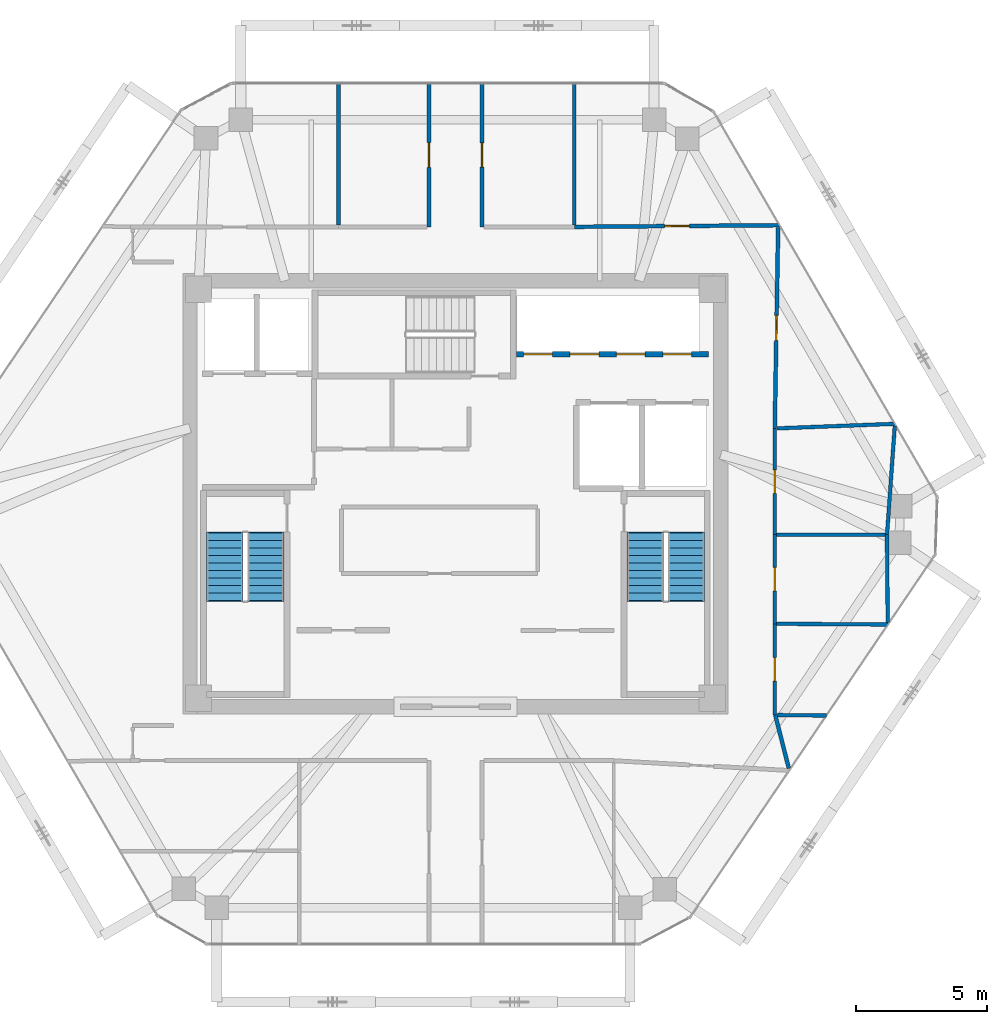
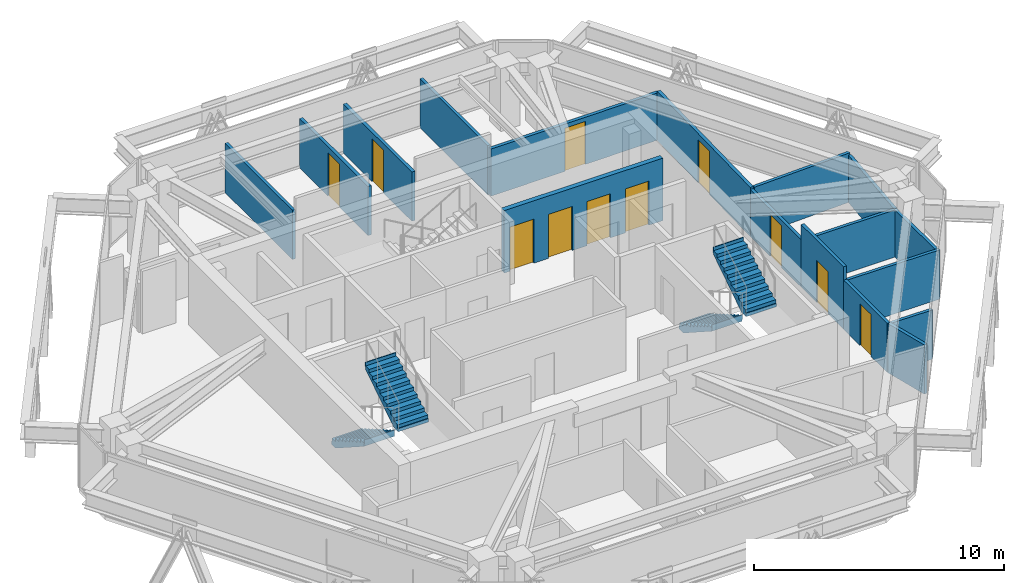
# One storey, part 11 of 13: 17 walls, 11 doors, 4 stair flights, 11 openings, 2 elements without a shape of their own.
"""IFC4 building model written with IfcOpenShell, lengths in metres."""

from ifc_helpers import new_model, si_unit, direction, frame, frame_2d, origin, place, context, subcontext, project, spatial, polyline, rectangle, outline, extrude, source, transform, mapped, material, layer, layer_set, type_object, type_shapes, element, fill, aggregate, save


model = new_model("IFC4")

# Units and contexts
model_context = context("Model", 3, precision=1e-05, world=origin(), true_north=direction((0.0, 1.0)))
body_context = subcontext(model_context, "Body", "Model", "MODEL_VIEW")
ifc_project = project(units=[si_unit("LENGTHUNIT", "METRE"), si_unit("AREAUNIT", "SQUARE_METRE"), si_unit("VOLUMEUNIT", "CUBIC_METRE"), si_unit("PLANEANGLEUNIT", "RADIAN"), si_unit("MASSUNIT", "GRAM", prefix="KILO")], contexts=[model_context])

# Site, building, storey
site_placement = place(None, origin())
site = spatial("IfcSite", under=ifc_project, at=site_placement, CompositionType="ELEMENT")
building_placement = place(site_placement, origin())
building = spatial("IfcBuilding", under=site, at=building_placement, Name="Durnholm Broadcast Tower", CompositionType="ELEMENT")
storey_placement = place(building_placement, frame((0.0, 0.0, 241.39990234375)))
storey = spatial("IfcBuildingStorey", under=building, at=storey_placement, Name="L67", CompositionType="ELEMENT", Elevation=241.39990234375)

# Walls
ifc_material_1 = material(Name="Gypsum Metal Stud Partition", Category="concrete")
ifc_layer_1 = layer(ifc_material_1, 0.135009765625)
ifc_layer_set_1 = layer_set([ifc_layer_1], Name="Gypsum Metal Stud Partition")
wall_type_1 = type_object("IfcWallType", Name="WALL-PART-135", PredefinedType="PARTITIONING", material=ifc_layer_set_1)
wall_1_placement = place(storey_placement, frame((-4.4599609375, 15.662109375, 0.0), z_axis=(0.0, 0.0, 1.0), x_axis=(0.0, -1.0, 0.0)))
element("IfcWall", 1, at=wall_1_placement, inside=storey, type_object=wall_type_1, Name="L67 room dividing partition 9.10", PredefinedType="PARTITIONING", context=body_context, shape_type="SweptSolid", body=[
    extrude(rectangle(XDim=5.403076171875, YDim=0.135009765625, at=frame_2d((2.70166015625, 0.0))), origin(), (0.0, 0.0, 1.0), 2.39892578125),
])
wall_2_placement = place(storey_placement, frame((4.5400390625, 15.662109375, 0.0), z_axis=(0.0, 0.0, 1.0), x_axis=(0.0, -1.0, 0.0)))
element("IfcWall", 2, at=wall_2_placement, inside=storey, type_object=wall_type_1, Name="L67 room dividing partition 11.12", PredefinedType="PARTITIONING", context=body_context, shape_type="SweptSolid", body=[
    extrude(rectangle(XDim=5.402587890625, YDim=0.135009765625, at=frame_2d((2.701171875, 0.0))), origin(), (0.0, 0.0, 1.0), 2.39892578125),
])

# Wall, opening, door
ifc_material_2 = material(Name="Acoustic Gypsum Stud Partition", Category="concrete")
ifc_layer_2 = layer(ifc_material_2, 0.14990234375)
ifc_layer_set_2 = layer_set([ifc_layer_2], Name="Acoustic Gypsum Stud Partition")
wall_type_2 = type_object("IfcWallType", Name="WALL-PART-150", PredefinedType="PARTITIONING", material=ifc_layer_set_2)
wall_3_placement = place(storey_placement, frame((-1.010009765625, 15.662109375, 0.0), z_axis=(0.0, 0.0, 1.0), x_axis=(0.0, -1.0, 0.0)))
wall_3 = element("IfcWall", 3, at=wall_3_placement, inside=storey, type_object=wall_type_2, Name="L67 Global Bureaus Meeting Room corridor partition", PredefinedType="PARTITIONING", context=body_context, shape_type="SweptSolid", body=[
    extrude(rectangle(XDim=5.482177734375, YDim=0.14990234375, at=frame_2d((2.7412109375, 0.0))), origin(), (0.0, 0.0, 1.0), 2.39892578125),
])
opening_1_placement = place(wall_3_placement, frame((2.26611328125, 0.0, 0.0)))
opening_1 = element("IfcOpeningElement", 4, at=opening_1_placement, cuts=wall_3, Name="Opening DR-95L", PredefinedType="OPENING", context=body_context, shape_type="SweptSolid", body=[
    extrude(rectangle(XDim=0.949951171875, YDim=2.10009765625, at=frame_2d((0.47509765625, 1.050048828125))), frame((0.0, 0.0849609375, 0.0), z_axis=(0.0, -1.0, 0.0), x_axis=(1.0, 0.0, 0.0)), (0.0, 0.0, 1.0), 0.169921875),
])
ifc_material_3 = material(Name="Acoustic Oak Veneer Timber Door", Category="wood")
ifc_layer_3 = layer(ifc_material_3, 0.050048828125)
ifc_layer_set_3 = layer_set([ifc_layer_3], Name="Acoustic Oak Veneer Timber Door")
door_type_1 = type_object("IfcDoorType", Name="DOOR-RM-950L", OperationType="NOTDEFINED", PredefinedType="DOOR", material=ifc_layer_set_3)
shared_shape_1 = source(origin(), body_context, "Body", "SweptSolid", [
    extrude(rectangle(XDim=0.949951171875, YDim=2.10009765625, at=frame_2d((0.47509765625, 1.050048828125))), frame((0.0, 0.02490234375, 0.0), z_axis=(0.0, -1.0, 0.0), x_axis=(1.0, 0.0, 0.0)), (0.0, 0.0, 1.0), 0.050048828125),
])
type_shapes(door_type_1, [shared_shape_1])
door_1_placement = place(opening_1_placement, origin())
door_1 = element("IfcDoor", 5, at=door_1_placement, inside=storey, type_object=door_type_1, Name="L67 Global Bureaus Meeting Room entrance door", OperationType="SINGLE_SWING_LEFT", OverallHeight=2.10009765625, OverallWidth=0.949951171875, PredefinedType="DOOR", context=body_context, shape_type="MappedRepresentation", body=[
    mapped(shared_shape_1, transform((0.0, 0.0, 0.0), x_axis=(1.0, 0.0, 0.0), y_axis=(0.0, 1.0, 0.0), z_axis=(0.0, 0.0, 1.0), scale=1.0)),
])
fill(opening_1, door_1)

wall_4_placement = place(storey_placement, frame((1.010009765625, 10.179931640625, 0.0), z_axis=(0.0, 0.0, 1.0), x_axis=(0.0, 1.0, 0.0)))
wall_4 = element("IfcWall", 6, at=wall_4_placement, inside=storey, type_object=wall_type_2, Name="L67 Protocol Lounge corridor partition", PredefinedType="PARTITIONING", context=body_context, shape_type="SweptSolid", body=[
    extrude(rectangle(XDim=5.482177734375, YDim=0.14990234375, at=frame_2d((2.7412109375, 0.0))), origin(), (0.0, 0.0, 1.0), 2.39892578125),
])
opening_2_placement = place(wall_4_placement, frame((2.281005859375, 0.0, 0.0)))
opening_2 = element("IfcOpeningElement", 7, at=opening_2_placement, cuts=wall_4, Name="Opening DR-92R", PredefinedType="OPENING", context=body_context, shape_type="SweptSolid", body=[
    extrude(rectangle(XDim=0.919921875, YDim=2.10009765625, at=frame_2d((0.4599609375, 1.050048828125))), frame((0.0, 0.0849609375, 0.0), z_axis=(0.0, -1.0, 0.0), x_axis=(1.0, 0.0, 0.0)), (0.0, 0.0, 1.0), 0.169921875),
])
ifc_material_4 = material(Name="Oak Veneer Office Door", Category="wood")
ifc_layer_4 = layer(ifc_material_4, 0.050048828125)
ifc_layer_set_4 = layer_set([ifc_layer_4], Name="Oak Veneer Office Door")
door_type_2 = type_object("IfcDoorType", Name="DOOR-RM-920R", OperationType="NOTDEFINED", PredefinedType="DOOR", material=ifc_layer_set_4)
shared_shape_2 = source(origin(), body_context, "Body", "SweptSolid", [
    extrude(rectangle(XDim=0.919921875, YDim=2.10009765625, at=frame_2d((0.4599609375, 1.050048828125))), frame((0.0, 0.02490234375, 0.0), z_axis=(0.0, -1.0, 0.0), x_axis=(1.0, 0.0, 0.0)), (0.0, 0.0, 1.0), 0.050048828125),
])
type_shapes(door_type_2, [shared_shape_2])
door_2_placement = place(opening_2_placement, origin())
door_2 = element("IfcDoor", 8, at=door_2_placement, inside=storey, type_object=door_type_2, Name="L67 Protocol Lounge entrance door", OperationType="SINGLE_SWING_RIGHT", OverallHeight=2.10009765625, OverallWidth=0.919921875, PredefinedType="DOOR", context=body_context, shape_type="MappedRepresentation", body=[
    mapped(shared_shape_2, transform((0.0, 0.0, 0.0), x_axis=(1.0, 0.0, 0.0), y_axis=(0.0, 1.0, 0.0), z_axis=(0.0, 0.0, 1.0), scale=1.0)),
])
fill(opening_2, door_2)

wall_5_placement = place(storey_placement, frame((12.368408203125, 10.242919921875, 0.0), z_axis=(0.0, 0.0, 1.0), x_axis=(-0.999968379606, -0.007952344825, 0.0)))
wall_5 = element("IfcWall", 9, at=wall_5_placement, inside=storey, type_object=wall_type_2, Name="L67 Open Plan Broadcast Workspace 5 corridor partition", PredefinedType="PARTITIONING", context=body_context, shape_type="SweptSolid", body=[
    extrude(rectangle(XDim=7.82861328125, YDim=0.14990234375, at=frame_2d((3.914306640625, 0.0))), origin(), (0.0, 0.0, 1.0), 2.301513671875),
])
opening_3_placement = place(wall_5_placement, frame((3.439208984375, 0.0, 0.0)))
opening_3 = element("IfcOpeningElement", 10, at=opening_3_placement, cuts=wall_5, Name="Opening DR-95L", PredefinedType="OPENING", context=body_context, shape_type="SweptSolid", body=[
    extrude(rectangle(XDim=0.949951171875, YDim=2.10009765625, at=frame_2d((0.47509765625, 1.050048828125))), frame((0.0, 0.0849609375, 0.0), z_axis=(0.0, -1.0, 0.0), x_axis=(1.0, 0.0, 0.0)), (0.0, 0.0, 1.0), 0.169921875),
])
door_3_placement = place(opening_3_placement, origin())
door_3 = element("IfcDoor", 11, at=door_3_placement, inside=storey, type_object=door_type_1, Name="L67 Open Plan Broadcast Workspace 5 entrance door", OperationType="SINGLE_SWING_LEFT", OverallHeight=2.10009765625, OverallWidth=0.949951171875, PredefinedType="DOOR", context=body_context, shape_type="MappedRepresentation", body=[
    mapped(shared_shape_1, transform((0.0, 0.0, 0.0), x_axis=(1.0, 0.0, 0.0), y_axis=(0.0, 1.0, 0.0), z_axis=(0.0, 0.0, 1.0), scale=1.0)),
])
fill(opening_3, door_3)

# Wall
wall_6_placement = place(storey_placement, frame((12.718505859375, -10.4775390625, 0.0), z_axis=(0.0, 0.0, 1.0), x_axis=(-0.246522636262, 0.969137033556, 0.0)))
element("IfcWall", 12, at=wall_6_placement, inside=storey, type_object=wall_type_2, Name="L67 Open Plan Broadcast Workspace 4 corridor partition", PredefinedType="PARTITIONING", context=body_context, shape_type="SweptSolid", body=[
    extrude(rectangle(XDim=2.1025390625, YDim=0.14990234375, at=frame_2d((1.05126953125, 0.0))), origin(), (0.0, 0.0, 1.0), 2.39892578125),
])

# Wall, opening, door
wall_7_placement = place(storey_placement, frame((12.181396484375, 2.489990234375, 0.0), z_axis=(0.0, 0.0, 1.0), x_axis=(0.016828669653, 0.999858387912, 0.0)))
wall_7 = element("IfcWall", 13, at=wall_7_placement, inside=storey, type_object=wall_type_2, Name="L67 Open Plan Broadcast Workspace 1 corridor partition", PredefinedType="PARTITIONING", context=body_context, shape_type="SweptSolid", body=[
    extrude(rectangle(XDim=7.67431640625, YDim=0.14990234375, at=frame_2d((3.837158203125, 0.0))), origin(), (0.0, 0.0, 1.0), 2.39892578125),
])
opening_4_placement = place(wall_7_placement, frame((3.3623046875, 0.0, 0.0)))
opening_4 = element("IfcOpeningElement", 14, at=opening_4_placement, cuts=wall_7, Name="Opening DR-95R", PredefinedType="OPENING", context=body_context, shape_type="SweptSolid", body=[
    extrude(rectangle(XDim=0.949951171875, YDim=2.10009765625, at=frame_2d((0.47509765625, 1.050048828125))), frame((0.0, 0.0849609375, 0.0), z_axis=(0.0, -1.0, 0.0), x_axis=(1.0, 0.0, 0.0)), (0.0, 0.0, 1.0), 0.169921875),
])
ifc_layer_5 = layer(ifc_material_3, 0.050048828125)
ifc_layer_set_5 = layer_set([ifc_layer_5], Name="Acoustic Oak Veneer Timber Door")
door_type_3 = type_object("IfcDoorType", Name="DOOR-RM-950R", OperationType="NOTDEFINED", PredefinedType="DOOR", material=ifc_layer_set_5)
shared_shape_3 = source(origin(), body_context, "Body", "SweptSolid", [
    extrude(rectangle(XDim=0.949951171875, YDim=2.10009765625, at=frame_2d((0.47509765625, 1.050048828125))), frame((0.0, 0.02490234375, 0.0), z_axis=(0.0, -1.0, 0.0), x_axis=(1.0, 0.0, 0.0)), (0.0, 0.0, 1.0), 0.050048828125),
])
type_shapes(door_type_3, [shared_shape_3])
door_4_placement = place(opening_4_placement, origin())
door_4 = element("IfcDoor", 15, at=door_4_placement, inside=storey, type_object=door_type_3, Name="L67 Open Plan Broadcast Workspace 1 entrance door", OperationType="SINGLE_SWING_RIGHT", OverallHeight=2.10009765625, OverallWidth=0.949951171875, PredefinedType="DOOR", context=body_context, shape_type="MappedRepresentation", body=[
    mapped(shared_shape_3, transform((0.0, 0.0, 0.0), x_axis=(1.0, 0.0, 0.0), y_axis=(0.0, 1.0, 0.0), z_axis=(0.0, 0.0, 1.0), scale=1.0)),
])
fill(opening_4, door_4)

# Wall, openings, doors
ifc_material_5 = material(Name="Concrete Blockwork C30/37", Category="masonry")
ifc_layer_6 = layer(ifc_material_5, 0.219970703125)
ifc_layer_set_6 = layer_set([ifc_layer_6], Name="Concrete Blockwork C30/37")
wall_type_3 = type_object("IfcWallType", Name="WALL-SHAFT-220", PredefinedType="SOLIDWALL", material=ifc_layer_set_6)
wall_8_placement = place(storey_placement, frame((2.324951171875, 5.320068359375, 0.0), z_axis=(0.0, 0.0, 1.0), x_axis=(1.0, 0.0, 0.0)))
wall_8 = element("IfcWall", 16, at=wall_8_placement, inside=storey, type_object=wall_type_3, Name="L67 high-rise bank P3 south front wall", PredefinedType="SOLIDWALL", context=body_context, shape_type="SweptSolid", body=[
    extrude(rectangle(XDim=7.324951171875, YDim=0.219970703125, at=frame_2d((3.66259765625, 0.0))), origin(), (0.0, 0.0, 1.0), 3.045166015625),
])
opening_5_placement = place(wall_8_placement, frame((0.27490234375, 0.0, 0.0)))
opening_5 = element("IfcOpeningElement", 17, at=opening_5_placement, cuts=wall_8, Name="Opening LD-LP3-1", PredefinedType="OPENING", context=body_context, shape_type="SweptSolid", body=[
    extrude(rectangle(XDim=1.10009765625, YDim=2.14990234375, at=frame_2d((0.550048828125, 1.074951171875))), frame((0.0, 0.1201171875, 0.0), z_axis=(0.0, -1.0, 0.0), x_axis=(1.0, 0.0, 0.0)), (0.0, 0.0, 1.0), 0.239990234375),
])
opening_6_placement = place(wall_8_placement, frame((2.044921875, 0.0, 0.0)))
opening_6 = element("IfcOpeningElement", 18, at=opening_6_placement, cuts=wall_8, Name="Opening LD-LP3-2", PredefinedType="OPENING", context=body_context, shape_type="SweptSolid", body=[
    extrude(rectangle(XDim=1.10009765625, YDim=2.14990234375, at=frame_2d((0.550048828125, 1.074951171875))), frame((0.0, 0.1201171875, 0.0), z_axis=(0.0, -1.0, 0.0), x_axis=(1.0, 0.0, 0.0)), (0.0, 0.0, 1.0), 0.239990234375),
])
opening_7_placement = place(wall_8_placement, frame((3.81494140625, 0.0, 0.0)))
opening_7 = element("IfcOpeningElement", 19, at=opening_7_placement, cuts=wall_8, Name="Opening LD-LP3-3", PredefinedType="OPENING", context=body_context, shape_type="SweptSolid", body=[
    extrude(rectangle(XDim=1.10009765625, YDim=2.14990234375, at=frame_2d((0.550048828125, 1.074951171875))), frame((0.0, 0.1201171875, 0.0), z_axis=(0.0, -1.0, 0.0), x_axis=(1.0, 0.0, 0.0)), (0.0, 0.0, 1.0), 0.239990234375),
])
opening_8_placement = place(wall_8_placement, frame((5.5849609375, 0.0, 0.0)))
opening_8 = element("IfcOpeningElement", 20, at=opening_8_placement, cuts=wall_8, Name="Opening LD-LP3-4", PredefinedType="OPENING", context=body_context, shape_type="SweptSolid", body=[
    extrude(rectangle(XDim=1.10009765625, YDim=2.14990234375, at=frame_2d((0.550048828125, 1.074951171875))), frame((0.0, 0.1201171875, 0.0), z_axis=(0.0, -1.0, 0.0), x_axis=(1.0, 0.0, 0.0)), (0.0, 0.0, 1.0), 0.239990234375),
])
ifc_material_6 = material(Name="Stainless Steel Sliding Elevator Landing Door", Category="steel")
ifc_layer_7 = layer(ifc_material_6, 0.050048828125)
ifc_layer_set_7 = layer_set([ifc_layer_7], Name="Stainless Steel Sliding Elevator Landing Door")
door_type_4 = type_object("IfcDoorType", Name="DOOR-LIFT-PAX", OperationType="DOUBLE_DOOR_SLIDING", PredefinedType="DOOR", material=ifc_layer_set_7)
shared_shape_4 = source(origin(), body_context, "Body", "SweptSolid", [
    extrude(rectangle(XDim=1.10009765625, YDim=2.14990234375, at=frame_2d((0.550048828125, 1.074951171875))), frame((0.0, 0.02490234375, 0.0), z_axis=(0.0, -1.0, 0.0), x_axis=(1.0, 0.0, 0.0)), (0.0, 0.0, 1.0), 0.050048828125),
])
type_shapes(door_type_4, [shared_shape_4])
door_5_placement = place(opening_5_placement, origin())
door_5 = element("IfcDoor", 21, at=door_5_placement, inside=storey, type_object=door_type_4, Name="L67 high-rise elevator LP3-1 sliding landing door", OperationType="DOUBLE_DOOR_SLIDING", OverallHeight=2.14990234375, OverallWidth=1.10009765625, PredefinedType="DOOR", context=body_context, shape_type="MappedRepresentation", body=[
    mapped(shared_shape_4, transform((0.0, 0.0, 0.0), x_axis=(1.0, 0.0, 0.0), y_axis=(0.0, 1.0, 0.0), z_axis=(0.0, 0.0, 1.0), scale=1.0)),
])
fill(opening_5, door_5)
door_6_placement = place(opening_6_placement, origin())
door_6 = element("IfcDoor", 22, at=door_6_placement, inside=storey, type_object=door_type_4, Name="L67 high-rise elevator LP3-2 sliding landing door", OperationType="DOUBLE_DOOR_SLIDING", OverallHeight=2.14990234375, OverallWidth=1.10009765625, PredefinedType="DOOR", context=body_context, shape_type="MappedRepresentation", body=[
    mapped(shared_shape_4, transform((0.0, 0.0, 0.0), x_axis=(1.0, 0.0, 0.0), y_axis=(0.0, 1.0, 0.0), z_axis=(0.0, 0.0, 1.0), scale=1.0)),
])
fill(opening_6, door_6)
door_7_placement = place(opening_7_placement, origin())
door_7 = element("IfcDoor", 23, at=door_7_placement, inside=storey, type_object=door_type_4, Name="L67 high-rise elevator LP3-3 sliding landing door", OperationType="DOUBLE_DOOR_SLIDING", OverallHeight=2.14990234375, OverallWidth=1.10009765625, PredefinedType="DOOR", context=body_context, shape_type="MappedRepresentation", body=[
    mapped(shared_shape_4, transform((0.0, 0.0, 0.0), x_axis=(1.0, 0.0, 0.0), y_axis=(0.0, 1.0, 0.0), z_axis=(0.0, 0.0, 1.0), scale=1.0)),
])
fill(opening_7, door_7)
door_8_placement = place(opening_8_placement, origin())
door_8 = element("IfcDoor", 24, at=door_8_placement, inside=storey, type_object=door_type_4, Name="L67 high-rise elevator LP3-4 sliding landing door", OperationType="DOUBLE_DOOR_SLIDING", OverallHeight=2.14990234375, OverallWidth=1.10009765625, PredefinedType="DOOR", context=body_context, shape_type="MappedRepresentation", body=[
    mapped(shared_shape_4, transform((0.0, 0.0, 0.0), x_axis=(1.0, 0.0, 0.0), y_axis=(0.0, 1.0, 0.0), z_axis=(0.0, 0.0, 1.0), scale=1.0)),
])
fill(opening_8, door_8)

# Wall, opening, door
ifc_material_7 = material(Name="Moisture-Resistant Tile Partition", Category="concrete")
ifc_layer_8 = layer(ifc_material_7, 0.139892578125)
ifc_layer_set_8 = layer_set([ifc_layer_8], Name="Moisture-Resistant Tile Partition")
wall_type_4 = type_object("IfcWallType", Name="WALL-WC-140", PredefinedType="PARTITIONING", material=ifc_layer_set_8)
wall_9_placement = place(storey_placement, frame((12.179931640625, -8.43994140625, 0.0), z_axis=(0.0, 0.0, 1.0), x_axis=(0.0, 1.0, 0.0)))
wall_9 = element("IfcWall", 25, at=wall_9_placement, inside=storey, type_object=wall_type_4, Name="L67 Men's Restroom corridor partition", PredefinedType="PARTITIONING", context=body_context, shape_type="SweptSolid", body=[
    extrude(rectangle(XDim=3.47998046875, YDim=0.139892578125, at=frame_2d((1.739990234375, 0.0))), origin(), (0.0, 0.0, 1.0), 2.39892578125),
])
opening_9_placement = place(wall_9_placement, frame((1.2900390625, 0.0, 0.0)))
opening_9 = element("IfcOpeningElement", 26, at=opening_9_placement, cuts=wall_9, Name="Opening DW-90L", PredefinedType="OPENING", context=body_context, shape_type="SweptSolid", body=[
    extrude(rectangle(XDim=0.89990234375, YDim=2.050048828125, at=frame_2d((0.449951171875, 1.02490234375))), frame((0.0, 0.080078125, 0.0), z_axis=(0.0, -1.0, 0.0), x_axis=(1.0, 0.0, 0.0)), (0.0, 0.0, 1.0), 0.159912109375),
])
ifc_material_8 = material(Name="Laminate Restroom Door", Category="steel")
ifc_layer_9 = layer(ifc_material_8, 0.050048828125)
ifc_layer_set_9 = layer_set([ifc_layer_9], Name="Laminate Restroom Door")
door_type_5 = type_object("IfcDoorType", Name="DOOR-WC-900L", OperationType="NOTDEFINED", PredefinedType="DOOR", material=ifc_layer_set_9)
shared_shape_5 = source(origin(), body_context, "Body", "SweptSolid", [
    extrude(rectangle(XDim=0.89990234375, YDim=2.050048828125, at=frame_2d((0.449951171875, 1.02490234375))), frame((0.0, 0.02490234375, 0.0), z_axis=(0.0, -1.0, 0.0), x_axis=(1.0, 0.0, 0.0)), (0.0, 0.0, 1.0), 0.050048828125),
])
type_shapes(door_type_5, [shared_shape_5])
door_9_placement = place(opening_9_placement, origin())
door_9 = element("IfcDoor", 27, at=door_9_placement, inside=storey, type_object=door_type_5, Name="L67 Men's Restroom entrance door", OperationType="SINGLE_SWING_LEFT", OverallHeight=2.050048828125, OverallWidth=0.89990234375, PredefinedType="DOOR", context=body_context, shape_type="MappedRepresentation", body=[
    mapped(shared_shape_5, transform((0.0, 0.0, 0.0), x_axis=(1.0, 0.0, 0.0), y_axis=(0.0, 1.0, 0.0), z_axis=(0.0, 0.0, 1.0), scale=1.0)),
])
fill(opening_9, door_9)

wall_10_placement = place(storey_placement, frame((12.179931640625, -4.9599609375, 0.0), z_axis=(0.0, 0.0, 1.0), x_axis=(0.0, 1.0, 0.0)))
wall_10 = element("IfcWall", 28, at=wall_10_placement, inside=storey, type_object=wall_type_4, Name="L67 Women's Restroom corridor partition", PredefinedType="PARTITIONING", context=body_context, shape_type="SweptSolid", body=[
    extrude(rectangle(XDim=3.39990234375, YDim=0.139892578125, at=frame_2d((1.699951171875, 0.0))), origin(), (0.0, 0.0, 1.0), 3.045166015625),
])
opening_10_placement = place(wall_10_placement, frame((1.25, 0.0, 0.0)))
opening_10 = element("IfcOpeningElement", 29, at=opening_10_placement, cuts=wall_10, Name="Opening DW-90R", PredefinedType="OPENING", context=body_context, shape_type="SweptSolid", body=[
    extrude(rectangle(XDim=0.89990234375, YDim=2.050048828125, at=frame_2d((0.449951171875, 1.02490234375))), frame((0.0, 0.080078125, 0.0), z_axis=(0.0, -1.0, 0.0), x_axis=(1.0, 0.0, 0.0)), (0.0, 0.0, 1.0), 0.159912109375),
])
ifc_layer_10 = layer(ifc_material_8, 0.050048828125)
ifc_layer_set_10 = layer_set([ifc_layer_10], Name="Laminate Restroom Door")
door_type_6 = type_object("IfcDoorType", Name="DOOR-WC-900R", OperationType="NOTDEFINED", PredefinedType="DOOR", material=ifc_layer_set_10)
shared_shape_6 = source(origin(), body_context, "Body", "SweptSolid", [
    extrude(rectangle(XDim=0.89990234375, YDim=2.050048828125, at=frame_2d((0.449951171875, 1.02490234375))), frame((0.0, 0.02490234375, 0.0), z_axis=(0.0, -1.0, 0.0), x_axis=(1.0, 0.0, 0.0)), (0.0, 0.0, 1.0), 0.050048828125),
])
type_shapes(door_type_6, [shared_shape_6])
door_10_placement = place(opening_10_placement, origin())
door_10 = element("IfcDoor", 30, at=door_10_placement, inside=storey, type_object=door_type_6, Name="L67 Women's Restroom entrance door", OperationType="SINGLE_SWING_RIGHT", OverallHeight=2.050048828125, OverallWidth=0.89990234375, PredefinedType="DOOR", context=body_context, shape_type="MappedRepresentation", body=[
    mapped(shared_shape_6, transform((0.0, 0.0, 0.0), x_axis=(1.0, 0.0, 0.0), y_axis=(0.0, 1.0, 0.0), z_axis=(0.0, 0.0, 1.0), scale=1.0)),
])
fill(opening_10, door_10)

wall_11_placement = place(storey_placement, frame((12.179931640625, -1.56005859375, 0.0), z_axis=(0.0, 0.0, 1.0), x_axis=(0.0, 1.0, 0.0)))
wall_11 = element("IfcWall", 31, at=wall_11_placement, inside=storey, type_object=wall_type_4, Name="L67 Accessible Restroom corridor partition", PredefinedType="PARTITIONING", context=body_context, shape_type="SweptSolid", body=[
    extrude(rectangle(XDim=4.050048828125, YDim=0.139892578125, at=frame_2d((2.02490234375, 0.0))), origin(), (0.0, 0.0, 1.0), 2.301513671875),
])
opening_11_placement = place(wall_11_placement, frame((1.574951171875, 0.0, 0.0)))
opening_11 = element("IfcOpeningElement", 32, at=opening_11_placement, cuts=wall_11, Name="Opening DW-90L", PredefinedType="OPENING", context=body_context, shape_type="SweptSolid", body=[
    extrude(rectangle(XDim=0.89990234375, YDim=2.050048828125, at=frame_2d((0.449951171875, 1.02490234375))), frame((0.0, 0.080078125, 0.0), z_axis=(0.0, -1.0, 0.0), x_axis=(1.0, 0.0, 0.0)), (0.0, 0.0, 1.0), 0.159912109375),
])
door_11_placement = place(opening_11_placement, origin())
door_11 = element("IfcDoor", 33, at=door_11_placement, inside=storey, type_object=door_type_5, Name="L67 Accessible Restroom entrance door", OperationType="SINGLE_SWING_LEFT", OverallHeight=2.050048828125, OverallWidth=0.89990234375, PredefinedType="DOOR", context=body_context, shape_type="MappedRepresentation", body=[
    mapped(shared_shape_5, transform((0.0, 0.0, 0.0), x_axis=(1.0, 0.0, 0.0), y_axis=(0.0, 1.0, 0.0), z_axis=(0.0, 0.0, 1.0), scale=1.0)),
])
fill(opening_11, door_11)

# Walls
wall_12_placement = place(storey_placement, frame((12.25390625, -4.96044921875, 0.0), z_axis=(0.0, 0.0, 1.0), x_axis=(0.999976630429, -0.006836563198, 0.0)))
element("IfcWall", 34, at=wall_12_placement, inside=storey, type_object=wall_type_4, Name="L67 room dividing partition 6.7", PredefinedType="PARTITIONING", context=body_context, shape_type="SweptSolid", body=[
    extrude(rectangle(XDim=4.24951171875, YDim=0.139892578125, at=frame_2d((2.124755859375, 0.0))), origin(), (0.0, 0.0, 1.0), 2.39892578125),
])
wall_13_placement = place(storey_placement, frame((14.155517578125, -8.46240234375, 0.0), z_axis=(0.0, 0.0, 1.0), x_axis=(-0.999935742613, 0.011336253532, 0.0)))
element("IfcWall", 35, at=wall_13_placement, inside=storey, type_object=wall_type_4, Name="L67 room dividing partition 6.17", PredefinedType="PARTITIONING", context=body_context, shape_type="SweptSolid", body=[
    extrude(rectangle(XDim=1.87353515625, YDim=0.139892578125, at=frame_2d((0.936767578125, 0.0))), origin(), (0.0, 0.0, 1.0), 2.39892578125),
])
wall_14_placement = place(storey_placement, frame((12.25390625, -1.56005859375, 0.0), z_axis=(0.0, 0.0, 1.0), x_axis=(1.0, 0.0, 0.0)))
element("IfcWall", 36, at=wall_14_placement, inside=storey, type_object=wall_type_4, Name="L67 room dividing partition 7.8", PredefinedType="PARTITIONING", context=body_context, shape_type="SweptSolid", body=[
    extrude(rectangle(XDim=4.2060546875, YDim=0.139892578125, at=frame_2d((2.10302734375, 0.0))), origin(), (0.0, 0.0, 1.0), 2.301513671875),
])
wall_15_placement = place(storey_placement, frame((16.4599609375, -1.56005859375, 0.0), z_axis=(0.0, 0.0, 1.0), x_axis=(0.009604446748, -0.999953876238, 0.0)))
element("IfcWall", 37, at=wall_15_placement, inside=storey, type_object=wall_type_4, Name="L67 room dividing partition 7.20", PredefinedType="PARTITIONING", context=body_context, shape_type="SweptSolid", body=[
    extrude(rectangle(XDim=3.35546875, YDim=0.139892578125, at=frame_2d((1.677734375, 0.0))), origin(), (0.0, 0.0, 1.0), 2.301513671875),
])
wall_16_placement = place(storey_placement, frame((12.260498046875, 2.4931640625, 0.0), z_axis=(0.0, 0.0, 1.0), x_axis=(0.999256206289, 0.038562082324, 0.0)))
element("IfcWall", 38, at=wall_16_placement, inside=storey, type_object=wall_type_4, Name="L67 room dividing partition 8.20", PredefinedType="PARTITIONING", context=body_context, shape_type="SweptSolid", body=[
    extrude(rectangle(XDim=4.5078125, YDim=0.139892578125, at=frame_2d((2.25390625, 0.0))), origin(), (0.0, 0.0, 1.0), 2.39892578125),
])
wall_17_placement = place(storey_placement, frame((16.759521484375, 2.5927734375, 0.0), z_axis=(0.0, 0.0, 1.0), x_axis=(-0.07055102187, -0.997508172053, 0.0)))
element("IfcWall", 39, at=wall_17_placement, inside=storey, type_object=wall_type_4, Name="L67 room dividing partition 8.20", PredefinedType="PARTITIONING", context=body_context, shape_type="SweptSolid", body=[
    extrude(rectangle(XDim=4.162841796875, YDim=0.139892578125, at=frame_2d((2.08154296875, 0.0))), origin(), (0.0, 0.0, 1.0), 2.301513671875),
])

# Stair, stair flights
ifc_material_9 = material(Name="Concrete C50/60", Category="concrete")
stair_type = type_object("IfcStairType", Name="STAIR-DL-20R1650", PredefinedType="HALF_TURN_STAIR", material=ifc_material_9)
stair_1_placement = place(storey_placement, origin())
stair_1 = element("IfcStair", 40, at=stair_1_placement, inside=storey, type_object=stair_type, Name="L67 ST-1", PredefinedType="HALF_TURN_STAIR")
stair_flight_type = type_object("IfcStairFlightType", Name="FLIGHT-DL-20R1650", PredefinedType="STRAIGHT", material=ifc_material_9)
stair_flight_1_placement = place(storey_placement, frame((-8.800048828125, -1.5, 0.0), z_axis=(0.0, 0.0, 1.0), x_axis=(0.0, -1.0, 0.0)))
stair_flight_1 = element("IfcStairFlight", 41, at=stair_flight_1_placement, type_object=stair_flight_type, Name="ST-1 flight 1", NumberOfRisers=10, NumberOfTreads=9, PredefinedType="STRAIGHT", RiserHeight=0.165, TreadLength=0.285, context=body_context, shape_type="SweptSolid", body=[
    extrude(outline(polyline([(-0.0400390625, -0.14990234375), (-0.0400390625, 0.0), (0.0, 0.0), (0.0, 0.1650390625), (0.284912109375, 0.1650390625), (0.284912109375, 0.330078125), (0.570068359375, 0.330078125), (0.570068359375, 0.4951171875), (0.85498046875, 0.4951171875), (0.85498046875, 0.659912109375), (1.139892578125, 0.659912109375), (1.139892578125, 0.824951171875), (1.425048828125, 0.824951171875), (1.425048828125, 0.989990234375), (1.7099609375, 0.989990234375), (1.7099609375, 1.155029296875), (1.9951171875, 1.155029296875), (1.9951171875, 1.320068359375), (2.280029296875, 1.320068359375), (2.280029296875, 1.485107421875), (2.56494140625, 1.485107421875), (2.56494140625, 1.64990234375), (2.60498046875, 1.64990234375), (2.60498046875, 1.5), (2.56494140625, 1.311767578125), (0.299072265625, -0.14990234375), (-0.0400390625, -0.14990234375)])), frame((0.0, 0.699951171875, 0.0), z_axis=(0.0, -1.0, 0.0), x_axis=(1.0, 0.0, 0.0)), (0.0, 0.0, 1.0), 1.39990234375),
])
stair_flight_2_placement = place(storey_placement, frame((-7.239990234375, -4.06494140625, 1.650146484375), z_axis=(0.0, 0.0, 1.0), x_axis=(0.0, 1.0, 0.0)))
stair_flight_2 = element("IfcStairFlight", 42, at=stair_flight_2_placement, type_object=stair_flight_type, Name="ST-1 flight 2", NumberOfRisers=10, NumberOfTreads=9, PredefinedType="STRAIGHT", RiserHeight=0.165, TreadLength=0.285, context=body_context, shape_type="SweptSolid", body=[
    extrude(outline(polyline([(-0.0400390625, -0.14990234375), (-0.0400390625, 0.0), (0.0, 0.0), (0.0, 0.1650390625), (0.284912109375, 0.1650390625), (0.284912109375, 0.330078125), (0.570068359375, 0.330078125), (0.570068359375, 0.4951171875), (0.85498046875, 0.4951171875), (0.85498046875, 0.659912109375), (1.139892578125, 0.659912109375), (1.139892578125, 0.824951171875), (1.425048828125, 0.824951171875), (1.425048828125, 0.989990234375), (1.7099609375, 0.989990234375), (1.7099609375, 1.155029296875), (1.9951171875, 1.155029296875), (1.9951171875, 1.320068359375), (2.280029296875, 1.320068359375), (2.280029296875, 1.485107421875), (2.56494140625, 1.485107421875), (2.56494140625, 1.64990234375), (2.60498046875, 1.64990234375), (2.60498046875, 1.5), (2.56494140625, 1.311767578125), (0.299072265625, -0.14990234375), (-0.0400390625, -0.14990234375)])), frame((0.0, 0.699951171875, 0.0), z_axis=(0.0, -1.0, 0.0), x_axis=(1.0, 0.0, 0.0)), (0.0, 0.0, 1.0), 1.39990234375),
])
aggregate(stair_1, [stair_flight_1, stair_flight_2])

stair_2_placement = place(storey_placement, origin())
stair_2 = element("IfcStair", 43, at=stair_2_placement, inside=storey, type_object=stair_type, Name="L67 ST-2", PredefinedType="HALF_TURN_STAIR")
stair_flight_3_placement = place(storey_placement, frame((7.239990234375, -1.5, 0.0), z_axis=(0.0, 0.0, 1.0), x_axis=(0.0, -1.0, 0.0)))
stair_flight_3 = element("IfcStairFlight", 44, at=stair_flight_3_placement, type_object=stair_flight_type, Name="ST-2 flight 1", NumberOfRisers=10, NumberOfTreads=9, PredefinedType="STRAIGHT", RiserHeight=0.165, TreadLength=0.285, context=body_context, shape_type="SweptSolid", body=[
    extrude(outline(polyline([(-0.0400390625, -0.14990234375), (-0.0400390625, 0.0), (0.0, 0.0), (0.0, 0.1650390625), (0.284912109375, 0.1650390625), (0.284912109375, 0.330078125), (0.570068359375, 0.330078125), (0.570068359375, 0.4951171875), (0.85498046875, 0.4951171875), (0.85498046875, 0.659912109375), (1.139892578125, 0.659912109375), (1.139892578125, 0.824951171875), (1.425048828125, 0.824951171875), (1.425048828125, 0.989990234375), (1.7099609375, 0.989990234375), (1.7099609375, 1.155029296875), (1.9951171875, 1.155029296875), (1.9951171875, 1.320068359375), (2.280029296875, 1.320068359375), (2.280029296875, 1.485107421875), (2.56494140625, 1.485107421875), (2.56494140625, 1.64990234375), (2.60498046875, 1.64990234375), (2.60498046875, 1.5), (2.56494140625, 1.311767578125), (0.299072265625, -0.14990234375), (-0.0400390625, -0.14990234375)])), frame((0.0, 0.699951171875, 0.0), z_axis=(0.0, -1.0, 0.0), x_axis=(1.0, 0.0, 0.0)), (0.0, 0.0, 1.0), 1.39990234375),
])
stair_flight_4_placement = place(storey_placement, frame((8.800048828125, -4.06494140625, 1.650146484375), z_axis=(0.0, 0.0, 1.0), x_axis=(0.0, 1.0, 0.0)))
stair_flight_4 = element("IfcStairFlight", 45, at=stair_flight_4_placement, type_object=stair_flight_type, Name="ST-2 flight 2", NumberOfRisers=10, NumberOfTreads=9, PredefinedType="STRAIGHT", RiserHeight=0.165, TreadLength=0.285, context=body_context, shape_type="SweptSolid", body=[
    extrude(outline(polyline([(-0.0400390625, -0.14990234375), (-0.0400390625, 0.0), (0.0, 0.0), (0.0, 0.1650390625), (0.284912109375, 0.1650390625), (0.284912109375, 0.330078125), (0.570068359375, 0.330078125), (0.570068359375, 0.4951171875), (0.85498046875, 0.4951171875), (0.85498046875, 0.659912109375), (1.139892578125, 0.659912109375), (1.139892578125, 0.824951171875), (1.425048828125, 0.824951171875), (1.425048828125, 0.989990234375), (1.7099609375, 0.989990234375), (1.7099609375, 1.155029296875), (1.9951171875, 1.155029296875), (1.9951171875, 1.320068359375), (2.280029296875, 1.320068359375), (2.280029296875, 1.485107421875), (2.56494140625, 1.485107421875), (2.56494140625, 1.64990234375), (2.60498046875, 1.64990234375), (2.60498046875, 1.5), (2.56494140625, 1.311767578125), (0.299072265625, -0.14990234375), (-0.0400390625, -0.14990234375)])), frame((0.0, 0.699951171875, 0.0), z_axis=(0.0, -1.0, 0.0), x_axis=(1.0, 0.0, 0.0)), (0.0, 0.0, 1.0), 1.39990234375),
])
aggregate(stair_2, [stair_flight_3, stair_flight_4])

save(model, "model.ifc")
